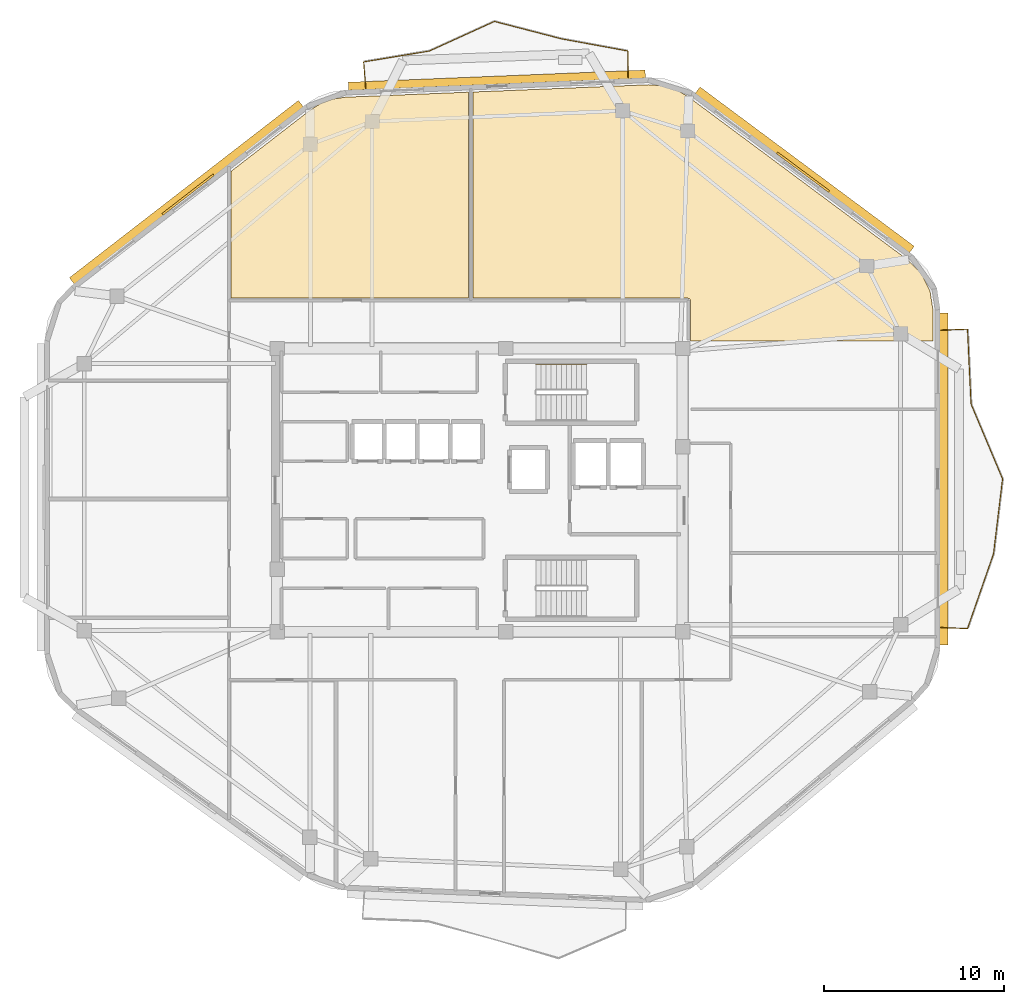
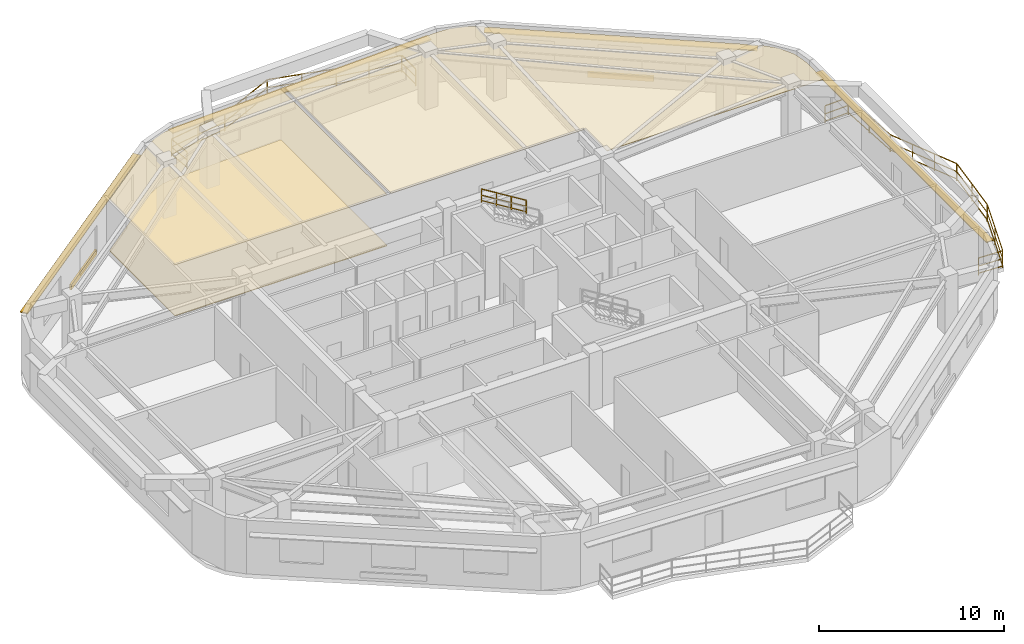
# One storey, part 8 of 8: 13 railings, 6 shading devices, 3 coverings.
"""IFC4 building model written with IfcOpenShell, lengths in metres."""

from ifc_helpers import new_model, si_unit, direction, frame, origin, origin_2d, place, context, subcontext, project, spatial, polyline, rectangle, outline, extrude, material, layer, layer_set, type_object, element, save


model = new_model("IFC4")

# Units and contexts
model_context = context("Model", 3, precision=1e-05, world=origin(), true_north=direction((0.0, 1.0)))
body_context = subcontext(model_context, "Body", "Model", "MODEL_VIEW")
ifc_project = project(units=[si_unit("LENGTHUNIT", "METRE"), si_unit("AREAUNIT", "SQUARE_METRE"), si_unit("VOLUMEUNIT", "CUBIC_METRE"), si_unit("PLANEANGLEUNIT", "RADIAN"), si_unit("MASSUNIT", "GRAM", prefix="KILO")], contexts=[model_context])

# Site, building, storey
site_placement = place(None, origin())
site = spatial("IfcSite", under=ifc_project, at=site_placement, CompositionType="ELEMENT")
building_placement = place(site_placement, origin())
building = spatial("IfcBuilding", under=site, at=building_placement, Name="Zulverin Broadcast Headquarters", CompositionType="ELEMENT")
storey_placement = place(building_placement, frame((0.0, 0.0, 274.39990234375)))
storey = spatial("IfcBuildingStorey", under=building, at=storey_placement, Name="L70", CompositionType="ELEMENT", Elevation=274.39990234375)

# Coverings
ifc_material_1 = material(Name="Perforated pale-metal acoustic baffle ceiling", Category="aluminium")
ifc_layer_1 = layer(ifc_material_1, 0.0400390625, Name="Perforated pale-metal acoustic baffle ceiling", Category="aluminium")
ifc_layer_set_1 = layer_set([ifc_layer_1], Name="Perforated pale-metal acoustic baffle ceiling")
covering_type_1 = type_object("IfcCoveringType", Name="COV-CEIL-ACOU", PredefinedType="CEILING", material=ifc_layer_set_1)
covering_1_placement = place(storey_placement, frame((0.0, 0.0, 3.360107421875)))
element("IfcCovering", 1, at=covering_1_placement, inside=storey, type_object=covering_type_1, Name="L70 Acoustic Baffle Ceiling 01", PredefinedType="CEILING", context=body_context, shape_type="SweptSolid", body=[
    extrude(outline(polyline([(36.3798828125, 35.8720703125), (36.3798828125, 47.33203125), (29.535888671875, 47.052001953125), (28.823974609375, 46.947998046875), (28.16796875, 46.7080078125), (27.555908203125, 46.327880859375), (23.16796875, 42.931884765625), (23.16796875, 35.8720703125), (36.3798828125, 35.8720703125)])), origin(), (0.0, 0.0, 1.0), 0.0400390625),
])
covering_2_placement = place(storey_placement, frame((0.0, 0.0, 3.360107421875)))
element("IfcCovering", 2, at=covering_2_placement, inside=storey, type_object=covering_type_1, Name="L70 Acoustic Baffle Ceiling 02", PredefinedType="CEILING", context=body_context, shape_type="SweptSolid", body=[
    extrude(outline(polyline([(48.60791015625, 47.06396484375), (47.927978515625, 47.4599609375), (47.19189453125, 47.68408203125), (46.404052734375, 47.743896484375), (36.6201171875, 47.340087890625), (36.6201171875, 35.8720703125), (48.56005859375, 35.8720703125), (48.572021484375, 35.8720703125), (48.583984375, 35.867919921875), (48.592041015625, 35.867919921875), (48.60009765625, 35.864013671875), (48.60791015625, 35.864013671875), (48.6201171875, 35.860107421875), (48.6279296875, 35.85595703125), (48.635986328125, 35.85205078125), (48.64794921875, 35.843994140625), (48.659912109375, 35.8359375), (48.66796875, 35.827880859375), (48.676025390625, 35.820068359375), (48.68408203125, 35.81201171875), (48.69189453125, 35.800048828125), (48.699951171875, 35.7880859375), (48.7041015625, 35.780029296875), (48.7080078125, 35.77197265625), (48.7119140625, 35.763916015625), (48.716064453125, 35.751953125), (48.716064453125, 35.743896484375), (48.719970703125, 35.73193359375), (48.719970703125, 35.719970703125), (48.719970703125, 33.5), (62.199951171875, 33.5), (62.199951171875, 35.219970703125), (62.031982421875, 36.2880859375), (61.56005859375, 37.22412109375), (60.803955078125, 37.99609375), (48.60791015625, 47.06396484375)])), origin(), (0.0, 0.0, 1.0), 0.0400390625),
])
ifc_material_2 = material(Name="Anti-static broadcast raised access flooring", Category="stone")
ifc_layer_2 = layer(ifc_material_2, 0.050048828125, Name="Anti-static broadcast raised access flooring", Category="stone")
ifc_layer_set_2 = layer_set([ifc_layer_2], Name="Anti-static broadcast raised access flooring")
covering_type_2 = type_object("IfcCoveringType", Name="COV-FLR-RAISED", PredefinedType="FLOORING", material=ifc_layer_set_2)
covering_3_placement = place(storey_placement, origin())
element("IfcCovering", 3, at=covering_3_placement, inside=storey, type_object=covering_type_2, Name="L70 Broadcast Raised Access Flooring 01", PredefinedType="FLOORING", context=body_context, shape_type="SweptSolid", body=[
    extrude(outline(polyline([(36.3798828125, 35.8720703125), (36.3798828125, 47.33203125), (29.535888671875, 47.052001953125), (28.823974609375, 46.947998046875), (28.16796875, 46.7080078125), (27.555908203125, 46.327880859375), (23.16796875, 42.931884765625), (23.16796875, 35.8720703125), (36.3798828125, 35.8720703125)])), origin(), (0.0, 0.0, 1.0), 0.050048828125),
])

# Railings
ifc_material_3 = material(Name="Brushed stainless steel & laminated glass balustrade", Category="steel")
railing_type_1 = type_object("IfcRailingType", Name="RL-GUARD-1150", PredefinedType="GUARDRAIL", material=ifc_material_3)
railing_1_placement = place(storey_placement, frame((62.639892578125, 17.555419921875, 0.0)))
element("IfcRailing", 4, at=railing_1_placement, inside=storey, type_object=railing_type_1, Name="L70 Vertical-Forest Balcony Guardrail BAL_E Segment 01", PredefinedType="GUARDRAIL", context=body_context, shape_type="SweptSolid", body=[
    extrude(rectangle(XDim=0.048095703125, YDim=0.048095703125, at=origin_2d()), frame((0.0, 0.0, 1.1259765625), z_axis=(0.999181155166, -0.040460093435, 0.0), x_axis=(0.040460093435, 0.999181155166, 0.0)), (0.0, 0.0, 1.0), 1.46630859375),
    extrude(rectangle(XDim=0.0419921875, YDim=0.0419921875, at=origin_2d()), frame((0.0, 0.0, 0.597900390625), z_axis=(0.999181155166, -0.040460093435, 0.0), x_axis=(0.040460093435, 0.999181155166, 0.0)), (0.0, 0.0, 1.0), 1.46630859375),
    extrude(rectangle(XDim=0.0419921875, YDim=0.0419921875, at=origin_2d()), frame((0.0, 0.0, 0.1201171875), z_axis=(0.999181155166, -0.040460093435, 0.0), x_axis=(0.040460093435, 0.999181155166, 0.0)), (0.0, 0.0, 1.0), 1.46630859375),
    extrude(rectangle(XDim=0.0419921875, YDim=0.0419921875, at=origin_2d()), origin(), (0.0, 0.0, 1.0), 1.101806640625),
    extrude(rectangle(XDim=0.0419921875, YDim=0.0419921875, at=origin_2d()), frame((1.465087890625, -0.059326171875, 0.0)), (0.0, 0.0, 1.0), 1.101806640625),
])
railing_2_placement = place(storey_placement, frame((64.125, 17.509765625, 0.0)))
element("IfcRailing", 5, at=railing_2_placement, inside=storey, type_object=railing_type_1, Name="L70 Vertical-Forest Balcony Guardrail BAL_E Segment 02", PredefinedType="GUARDRAIL", context=body_context, shape_type="SweptSolid", body=[
    extrude(rectangle(XDim=0.048095703125, YDim=0.048095703125, at=origin_2d()), frame((0.0, 0.0, 1.1259765625), z_axis=(0.328447087577, 0.944522371711, 0.0), x_axis=(-0.944522371711, 0.328447087577, 0.0)), (0.0, 0.0, 1.0), 4.378173828125),
    extrude(rectangle(XDim=0.0419921875, YDim=0.0419921875, at=origin_2d()), frame((0.0, 0.0, 0.597900390625), z_axis=(0.328447087577, 0.944522371711, 0.0), x_axis=(-0.944522371711, 0.328447087577, 0.0)), (0.0, 0.0, 1.0), 4.378173828125),
    extrude(rectangle(XDim=0.0419921875, YDim=0.0419921875, at=origin_2d()), frame((0.0, 0.0, 0.1201171875), z_axis=(0.328447087577, 0.944522371711, 0.0), x_axis=(-0.944522371711, 0.328447087577, 0.0)), (0.0, 0.0, 1.0), 4.378173828125),
    extrude(rectangle(XDim=0.0419921875, YDim=0.0419921875, at=origin_2d()), origin(), (0.0, 0.0, 1.0), 1.101806640625),
    extrude(rectangle(XDim=0.0419921875, YDim=0.0419921875, at=origin_2d()), frame((0.718994140625, 2.067626953125, 0.0)), (0.0, 0.0, 1.0), 1.101806640625),
    extrude(rectangle(XDim=0.0419921875, YDim=0.0419921875, at=origin_2d()), frame((1.43798828125, 4.13525390625, 0.0)), (0.0, 0.0, 1.0), 1.101806640625),
])
railing_3_placement = place(storey_placement, frame((65.569580078125, 21.674072265625, 0.0)))
element("IfcRailing", 6, at=railing_3_placement, inside=storey, type_object=railing_type_1, Name="L70 Vertical-Forest Balcony Guardrail BAL_E Segment 03", PredefinedType="GUARDRAIL", context=body_context, shape_type="SweptSolid", body=[
    extrude(rectangle(XDim=0.048095703125, YDim=0.048095703125, at=origin_2d()), frame((0.0, 0.0, 1.1259765625), z_axis=(0.119732473656, 0.992806191939, 0.0), x_axis=(-0.992806191939, 0.119732473656, 0.0)), (0.0, 0.0, 1.0), 4.163818359375),
    extrude(rectangle(XDim=0.0419921875, YDim=0.0419921875, at=origin_2d()), frame((0.0, 0.0, 0.597900390625), z_axis=(0.119732473656, 0.992806191939, 0.0), x_axis=(-0.992806191939, 0.119732473656, 0.0)), (0.0, 0.0, 1.0), 4.163818359375),
    extrude(rectangle(XDim=0.0419921875, YDim=0.0419921875, at=origin_2d()), frame((0.0, 0.0, 0.1201171875), z_axis=(0.119732473656, 0.992806191939, 0.0), x_axis=(-0.992806191939, 0.119732473656, 0.0)), (0.0, 0.0, 1.0), 4.163818359375),
    extrude(rectangle(XDim=0.0419921875, YDim=0.0419921875, at=origin_2d()), origin(), (0.0, 0.0, 1.0), 1.101806640625),
    extrude(rectangle(XDim=0.0419921875, YDim=0.0419921875, at=origin_2d()), frame((0.249267578125, 2.06689453125, 0.0)), (0.0, 0.0, 1.0), 1.101806640625),
    extrude(rectangle(XDim=0.0419921875, YDim=0.0419921875, at=origin_2d()), frame((0.49853515625, 4.1337890625, 0.0)), (0.0, 0.0, 1.0), 1.101806640625),
])
railing_4_placement = place(storey_placement, frame((66.064208984375, 25.836669921875, 0.0)))
element("IfcRailing", 7, at=railing_4_placement, inside=storey, type_object=railing_type_1, Name="L70 Vertical-Forest Balcony Guardrail BAL_E Segment 04", PredefinedType="GUARDRAIL", context=body_context, shape_type="SweptSolid", body=[
    extrude(rectangle(XDim=0.048095703125, YDim=0.048095703125, at=origin_2d()), frame((0.0, 0.0, 1.1259765625), z_axis=(-0.388100776881, 0.921616941568, 0.0), x_axis=(-0.921616941568, -0.388100776881, 0.0)), (0.0, 0.0, 1.0), 4.48779296875),
    extrude(rectangle(XDim=0.0419921875, YDim=0.0419921875, at=origin_2d()), frame((0.0, 0.0, 0.597900390625), z_axis=(-0.388100776881, 0.921616941568, 0.0), x_axis=(-0.921616941568, -0.388100776881, 0.0)), (0.0, 0.0, 1.0), 4.48779296875),
    extrude(rectangle(XDim=0.0419921875, YDim=0.0419921875, at=origin_2d()), frame((0.0, 0.0, 0.1201171875), z_axis=(-0.388100776881, 0.921616941568, 0.0), x_axis=(-0.921616941568, -0.388100776881, 0.0)), (0.0, 0.0, 1.0), 4.48779296875),
    extrude(rectangle(XDim=0.0419921875, YDim=0.0419921875, at=origin_2d()), origin(), (0.0, 0.0, 1.0), 1.101806640625),
    extrude(rectangle(XDim=0.0419921875, YDim=0.0419921875, at=origin_2d()), frame((-0.58056640625, 1.378662109375, 0.0)), (0.0, 0.0, 1.0), 1.101806640625),
    extrude(rectangle(XDim=0.0419921875, YDim=0.0419921875, at=origin_2d()), frame((-1.1611328125, 2.75732421875, 0.0)), (0.0, 0.0, 1.0), 1.101806640625),
    extrude(rectangle(XDim=0.0419921875, YDim=0.0419921875, at=origin_2d()), frame((-1.74169921875, 4.135986328125, 0.0)), (0.0, 0.0, 1.0), 1.101806640625),
])
railing_5_placement = place(storey_placement, frame((64.31591796875, 30.00146484375, 0.0)))
element("IfcRailing", 8, at=railing_5_placement, inside=storey, type_object=railing_type_1, Name="L70 Vertical-Forest Balcony Guardrail BAL_E Segment 05", PredefinedType="GUARDRAIL", context=body_context, shape_type="SweptSolid", body=[
    extrude(rectangle(XDim=0.048095703125, YDim=0.048095703125, at=origin_2d()), frame((0.0, 0.0, 1.1259765625), z_axis=(-0.04719794724, 0.998885555895, 0.0), x_axis=(-0.998885555895, -0.04719794724, 0.0)), (0.0, 0.0, 1.0), 4.13818359375),
    extrude(rectangle(XDim=0.0419921875, YDim=0.0419921875, at=origin_2d()), frame((0.0, 0.0, 0.597900390625), z_axis=(-0.04719794724, 0.998885555895, 0.0), x_axis=(-0.998885555895, -0.04719794724, 0.0)), (0.0, 0.0, 1.0), 4.13818359375),
    extrude(rectangle(XDim=0.0419921875, YDim=0.0419921875, at=origin_2d()), frame((0.0, 0.0, 0.1201171875), z_axis=(-0.04719794724, 0.998885555895, 0.0), x_axis=(-0.998885555895, -0.04719794724, 0.0)), (0.0, 0.0, 1.0), 4.13818359375),
    extrude(rectangle(XDim=0.0419921875, YDim=0.0419921875, at=origin_2d()), origin(), (0.0, 0.0, 1.0), 1.101806640625),
    extrude(rectangle(XDim=0.0419921875, YDim=0.0419921875, at=origin_2d()), frame((-0.09765625, 2.06689453125, 0.0)), (0.0, 0.0, 1.0), 1.101806640625),
    extrude(rectangle(XDim=0.0419921875, YDim=0.0419921875, at=origin_2d()), frame((-0.1953125, 4.133544921875, 0.0)), (0.0, 0.0, 1.0), 1.101806640625),
])
railing_6_placement = place(storey_placement, frame((64.10498046875, 34.1494140625, 0.0)))
element("IfcRailing", 9, at=railing_6_placement, inside=storey, type_object=railing_type_1, Name="L70 Vertical-Forest Balcony Guardrail BAL_E Segment 06", PredefinedType="GUARDRAIL", context=body_context, shape_type="SweptSolid", body=[
    extrude(rectangle(XDim=0.048095703125, YDim=0.048095703125, at=origin_2d()), frame((0.0, 0.0, 1.1259765625), z_axis=(-0.999181155166, -0.040460093435, 0.0), x_axis=(0.040460093435, -0.999181155166, 0.0)), (0.0, 0.0, 1.0), 1.46630859375),
    extrude(rectangle(XDim=0.0419921875, YDim=0.0419921875, at=origin_2d()), frame((0.0, 0.0, 0.597900390625), z_axis=(-0.999181155166, -0.040460093435, 0.0), x_axis=(0.040460093435, -0.999181155166, 0.0)), (0.0, 0.0, 1.0), 1.46630859375),
    extrude(rectangle(XDim=0.0419921875, YDim=0.0419921875, at=origin_2d()), frame((0.0, 0.0, 0.1201171875), z_axis=(-0.999181155166, -0.040460093435, 0.0), x_axis=(0.040460093435, -0.999181155166, 0.0)), (0.0, 0.0, 1.0), 1.46630859375),
    extrude(rectangle(XDim=0.0419921875, YDim=0.0419921875, at=origin_2d()), origin(), (0.0, 0.0, 1.0), 1.101806640625),
    extrude(rectangle(XDim=0.0419921875, YDim=0.0419921875, at=origin_2d()), frame((-1.465087890625, -0.059326171875, 0.0)), (0.0, 0.0, 1.0), 1.101806640625),
])
railing_7_placement = place(storey_placement, frame((45.247314453125, 48.13720703125, 0.0)))
element("IfcRailing", 10, at=railing_7_placement, inside=storey, type_object=railing_type_1, Name="L70 Vertical-Forest Balcony Guardrail BAL_N Segment 01", PredefinedType="GUARDRAIL", context=body_context, shape_type="SweptSolid", body=[
    extrude(rectangle(XDim=0.048095703125, YDim=0.048095703125, at=origin_2d()), frame((0.0, 0.0, 1.1259765625), z_axis=(-0.000499500437, 0.99999987525, 0.0), x_axis=(-0.99999987525, -0.000499500437, 0.0)), (0.0, 0.0, 1.0), 1.46630859375),
    extrude(rectangle(XDim=0.0419921875, YDim=0.0419921875, at=origin_2d()), frame((0.0, 0.0, 0.597900390625), z_axis=(-0.000499500437, 0.99999987525, 0.0), x_axis=(-0.99999987525, -0.000499500437, 0.0)), (0.0, 0.0, 1.0), 1.46630859375),
    extrude(rectangle(XDim=0.0419921875, YDim=0.0419921875, at=origin_2d()), frame((0.0, 0.0, 0.1201171875), z_axis=(-0.000499500437, 0.99999987525, 0.0), x_axis=(-0.99999987525, -0.000499500437, 0.0)), (0.0, 0.0, 1.0), 1.46630859375),
    extrude(rectangle(XDim=0.0419921875, YDim=0.0419921875, at=origin_2d()), origin(), (0.0, 0.0, 1.0), 1.101806640625),
    extrude(rectangle(XDim=0.0419921875, YDim=0.0419921875, at=origin_2d()), frame((-0.000732421875, 1.46630859375, 0.0)), (0.0, 0.0, 1.0), 1.101806640625),
])
railing_8_placement = place(storey_placement, frame((45.231689453125, 49.62109375, 0.0)))
element("IfcRailing", 11, at=railing_8_placement, inside=storey, type_object=railing_type_1, Name="L70 Vertical-Forest Balcony Guardrail BAL_N Segment 02", PredefinedType="GUARDRAIL", context=body_context, shape_type="SweptSolid", body=[
    extrude(rectangle(XDim=0.048095703125, YDim=0.048095703125, at=origin_2d()), frame((0.0, 0.0, 1.1259765625), z_axis=(-0.983606942965, 0.180325765634, 0.0), x_axis=(-0.180325765634, -0.983606942965, 0.0)), (0.0, 0.0, 1.0), 3.743408203125),
    extrude(rectangle(XDim=0.0419921875, YDim=0.0419921875, at=origin_2d()), frame((0.0, 0.0, 0.597900390625), z_axis=(-0.983606942965, 0.180325765634, 0.0), x_axis=(-0.180325765634, -0.983606942965, 0.0)), (0.0, 0.0, 1.0), 3.743408203125),
    extrude(rectangle(XDim=0.0419921875, YDim=0.0419921875, at=origin_2d()), frame((0.0, 0.0, 0.1201171875), z_axis=(-0.983606942965, 0.180325765634, 0.0), x_axis=(-0.180325765634, -0.983606942965, 0.0)), (0.0, 0.0, 1.0), 3.743408203125),
    extrude(rectangle(XDim=0.0419921875, YDim=0.0419921875, at=origin_2d()), origin(), (0.0, 0.0, 1.0), 1.101806640625),
    extrude(rectangle(XDim=0.0419921875, YDim=0.0419921875, at=origin_2d()), frame((-1.841064453125, 0.33740234375, 0.0)), (0.0, 0.0, 1.0), 1.101806640625),
    extrude(rectangle(XDim=0.0419921875, YDim=0.0419921875, at=origin_2d()), frame((-3.68212890625, 0.675048828125, 0.0)), (0.0, 0.0, 1.0), 1.101806640625),
])
railing_9_placement = place(storey_placement, frame((41.520263671875, 50.302734375, 0.0)))
element("IfcRailing", 12, at=railing_9_placement, inside=storey, type_object=railing_type_1, Name="L70 Vertical-Forest Balcony Guardrail BAL_N Segment 03", PredefinedType="GUARDRAIL", context=body_context, shape_type="SweptSolid", body=[
    extrude(rectangle(XDim=0.048095703125, YDim=0.048095703125, at=origin_2d()), frame((0.0, 0.0, 1.1259765625), z_axis=(-0.968002653238, 0.250939959602, 0.0), x_axis=(-0.250939959602, -0.968002653238, 0.0)), (0.0, 0.0, 1.0), 3.816650390625),
    extrude(rectangle(XDim=0.0419921875, YDim=0.0419921875, at=origin_2d()), frame((0.0, 0.0, 0.597900390625), z_axis=(-0.968002653238, 0.250939959602, 0.0), x_axis=(-0.250939959602, -0.968002653238, 0.0)), (0.0, 0.0, 1.0), 3.816650390625),
    extrude(rectangle(XDim=0.0419921875, YDim=0.0419921875, at=origin_2d()), frame((0.0, 0.0, 0.1201171875), z_axis=(-0.968002653238, 0.250939959602, 0.0), x_axis=(-0.250939959602, -0.968002653238, 0.0)), (0.0, 0.0, 1.0), 3.816650390625),
    extrude(rectangle(XDim=0.0419921875, YDim=0.0419921875, at=origin_2d()), origin(), (0.0, 0.0, 1.0), 1.101806640625),
    extrude(rectangle(XDim=0.0419921875, YDim=0.0419921875, at=origin_2d()), frame((-1.84716796875, 0.47900390625, 0.0)), (0.0, 0.0, 1.0), 1.101806640625),
    extrude(rectangle(XDim=0.0419921875, YDim=0.0419921875, at=origin_2d()), frame((-3.694580078125, 0.957763671875, 0.0)), (0.0, 0.0, 1.0), 1.101806640625),
])
railing_10_placement = place(storey_placement, frame((37.79736328125, 51.25830078125, 0.0)))
element("IfcRailing", 13, at=railing_10_placement, inside=storey, type_object=railing_type_1, Name="L70 Vertical-Forest Balcony Guardrail BAL_N Segment 04", PredefinedType="GUARDRAIL", context=body_context, shape_type="SweptSolid", body=[
    extrude(rectangle(XDim=0.048095703125, YDim=0.048095703125, at=origin_2d()), frame((0.0, 0.0, 1.1259765625), z_axis=(-0.910292238075, -0.413966232077, 0.0), x_axis=(0.413966232077, -0.910292238075, 0.0)), (0.0, 0.0, 1.0), 3.942626953125),
    extrude(rectangle(XDim=0.0419921875, YDim=0.0419921875, at=origin_2d()), frame((0.0, 0.0, 0.597900390625), z_axis=(-0.910292238075, -0.413966232077, 0.0), x_axis=(0.413966232077, -0.910292238075, 0.0)), (0.0, 0.0, 1.0), 3.942626953125),
    extrude(rectangle(XDim=0.0419921875, YDim=0.0419921875, at=origin_2d()), frame((0.0, 0.0, 0.1201171875), z_axis=(-0.910292238075, -0.413966232077, 0.0), x_axis=(0.413966232077, -0.910292238075, 0.0)), (0.0, 0.0, 1.0), 3.942626953125),
    extrude(rectangle(XDim=0.0419921875, YDim=0.0419921875, at=origin_2d()), origin(), (0.0, 0.0, 1.0), 1.101806640625),
    extrude(rectangle(XDim=0.0419921875, YDim=0.0419921875, at=origin_2d()), frame((-1.79443359375, -0.81591796875, 0.0)), (0.0, 0.0, 1.0), 1.101806640625),
    extrude(rectangle(XDim=0.0419921875, YDim=0.0419921875, at=origin_2d()), frame((-3.5888671875, -1.632080078125, 0.0)), (0.0, 0.0, 1.0), 1.101806640625),
])
railing_11_placement = place(storey_placement, frame((34.179931640625, 49.617431640625, 0.0)))
element("IfcRailing", 14, at=railing_11_placement, inside=storey, type_object=railing_type_1, Name="L70 Vertical-Forest Balcony Guardrail BAL_N Segment 05", PredefinedType="GUARDRAIL", context=body_context, shape_type="SweptSolid", body=[
    extrude(rectangle(XDim=0.048095703125, YDim=0.048095703125, at=origin_2d()), frame((0.0, 0.0, 1.1259765625), z_axis=(-0.986551305382, -0.163451894602, 0.0), x_axis=(0.163451894602, -0.986551305382, 0.0)), (0.0, 0.0, 1.0), 3.678955078125),
    extrude(rectangle(XDim=0.0419921875, YDim=0.0419921875, at=origin_2d()), frame((0.0, 0.0, 0.597900390625), z_axis=(-0.986551305382, -0.163451894602, 0.0), x_axis=(0.163451894602, -0.986551305382, 0.0)), (0.0, 0.0, 1.0), 3.678955078125),
    extrude(rectangle(XDim=0.0419921875, YDim=0.0419921875, at=origin_2d()), frame((0.0, 0.0, 0.1201171875), z_axis=(-0.986551305382, -0.163451894602, 0.0), x_axis=(0.163451894602, -0.986551305382, 0.0)), (0.0, 0.0, 1.0), 3.678955078125),
    extrude(rectangle(XDim=0.0419921875, YDim=0.0419921875, at=origin_2d()), origin(), (0.0, 0.0, 1.0), 1.101806640625),
    extrude(rectangle(XDim=0.0419921875, YDim=0.0419921875, at=origin_2d()), frame((-1.814697265625, -0.30078125, 0.0)), (0.0, 0.0, 1.0), 1.101806640625),
    extrude(rectangle(XDim=0.0419921875, YDim=0.0419921875, at=origin_2d()), frame((-3.62939453125, -0.601318359375, 0.0)), (0.0, 0.0, 1.0), 1.101806640625),
])
railing_12_placement = place(storey_placement, frame((30.537109375, 48.998779296875, 0.0)))
element("IfcRailing", 15, at=railing_12_placement, inside=storey, type_object=railing_type_1, Name="L70 Vertical-Forest Balcony Guardrail BAL_N Segment 06", PredefinedType="GUARDRAIL", context=body_context, shape_type="SweptSolid", body=[
    extrude(rectangle(XDim=0.048095703125, YDim=0.048095703125, at=origin_2d()), frame((0.0, 0.0, 1.1259765625), z_axis=(0.081419392862, -0.9966799298, 0.0), x_axis=(0.9966799298, 0.081419392862, 0.0)), (0.0, 0.0, 1.0), 1.46630859375),
    extrude(rectangle(XDim=0.0419921875, YDim=0.0419921875, at=origin_2d()), frame((0.0, 0.0, 0.597900390625), z_axis=(0.081419392862, -0.9966799298, 0.0), x_axis=(0.9966799298, 0.081419392862, 0.0)), (0.0, 0.0, 1.0), 1.46630859375),
    extrude(rectangle(XDim=0.0419921875, YDim=0.0419921875, at=origin_2d()), frame((0.0, 0.0, 0.1201171875), z_axis=(0.081419392862, -0.9966799298, 0.0), x_axis=(0.9966799298, 0.081419392862, 0.0)), (0.0, 0.0, 1.0), 1.46630859375),
    extrude(rectangle(XDim=0.0419921875, YDim=0.0419921875, at=origin_2d()), origin(), (0.0, 0.0, 1.0), 1.101806640625),
    extrude(rectangle(XDim=0.0419921875, YDim=0.0419921875, at=origin_2d()), frame((0.119384765625, -1.46142578125, 0.0)), (0.0, 0.0, 1.0), 1.101806640625),
])
ifc_material_4 = material(Name="Brushed stainless steel 48 mm handrail", Category="steel")
railing_type_2 = type_object("IfcRailingType", Name="RL-ST-HAND", PredefinedType="HANDRAIL", material=ifc_material_4)
railing_13_placement = place(storey_placement, frame((42.929931640625, 32.199951171875, 2.07275390625)))
element("IfcRailing", 16, at=railing_13_placement, inside=storey, type_object=railing_type_2, Name="L70 ST-1 stair handrail 2", PredefinedType="HANDRAIL", context=body_context, shape_type="SweptSolid", body=[
    extrude(rectangle(XDim=0.048095703125, YDim=0.048095703125, at=origin_2d()), frame((0.0, 0.0, 0.8759765625), z_axis=(-0.851089632645, 0.0, 0.525020415988), x_axis=(0.0, -1.0, 0.0)), (0.0, 0.0, 1.0), 3.2900390625),
    extrude(rectangle(XDim=0.0419921875, YDim=0.0419921875, at=origin_2d()), frame((0.0, 0.0, 0.468017578125), z_axis=(-0.851089632645, 0.0, 0.525020415988), x_axis=(0.0, -1.0, 0.0)), (0.0, 0.0, 1.0), 3.2900390625),
    extrude(rectangle(XDim=0.0419921875, YDim=0.0419921875, at=origin_2d()), frame((0.0, 0.0, 0.1201171875), z_axis=(-0.851089632645, 0.0, 0.525020415988), x_axis=(0.0, -1.0, 0.0)), (0.0, 0.0, 1.0), 3.2900390625),
    extrude(rectangle(XDim=0.0419921875, YDim=0.0419921875, at=origin_2d()), origin(), (0.0, 0.0, 1.0), 0.851806640625),
    extrude(rectangle(XDim=0.0419921875, YDim=0.0419921875, at=origin_2d()), frame((-0.933349609375, 0.0, 0.57568359375)), (0.0, 0.0, 1.0), 0.851806640625),
    extrude(rectangle(XDim=0.0419921875, YDim=0.0419921875, at=origin_2d()), frame((-1.86669921875, 0.0, 1.151611328125)), (0.0, 0.0, 1.0), 0.851806640625),
    extrude(rectangle(XDim=0.0419921875, YDim=0.0419921875, at=origin_2d()), frame((-2.800048828125, 0.0, 1.727294921875)), (0.0, 0.0, 1.0), 0.851806640625),
])

# Shading devices
ifc_material_5 = material(Name="Anodized pale-metal aluminium acoustic louvre", Category="aluminium")
shading_device_type_1 = type_object("IfcShadingDeviceType", Name="SHD-LOUVRE-350", PredefinedType="USERDEFINED", material=ifc_material_5)
for number, where, z_axis, x_axis, name in (
    (17, (54.973388671875, 42.880615234375, 0.2451171875), (0.0, 0.0, 1.0), (-0.802486437986, 0.596670358614, 0.0), "L70 Spandrel Intake Louvre 4"),
    (18, (20.77734375, 41.63720703125, 0.2451171875), (0.0, 0.0, 1.0), (-0.790792140634, -0.612084790132, 0.0), "L70 Spandrel Intake Louvre 6"),
):
    element("IfcShadingDevice", number, at=place(storey_placement, frame(where, z_axis=z_axis, x_axis=x_axis)), inside=storey, type_object=shading_device_type_1, Name=name, ObjectType="LOUVRE", PredefinedType="USERDEFINED", context=body_context, shape_type="SweptSolid", body=[
        extrude(rectangle(XDim=3.60009765625, YDim=0.1201171875, at=origin_2d()), origin(), (0.0, 0.0, 1.0), 0.35009765625),
    ])
ifc_material_6 = material(Name="Anodized pale-metal aluminium sunshade", Category="aluminium")
ifc_layer_3 = layer(ifc_material_6, 0.06005859375, Name="Anodized pale-metal aluminium sunshade", Category="aluminium")
ifc_layer_set_3 = layer_set([ifc_layer_3], Name="Anodized pale-metal aluminium sunshade")
shading_device_type_2 = type_object("IfcShadingDeviceType", Name="SS-01_PALE_METAL_ALUMINIUM_SUNSHADE", PredefinedType="USERDEFINED", material=ifc_layer_set_3)
shading_device_1_placement = place(storey_placement, frame((62.800048828125, 25.82275390625, 2.7099609375), z_axis=(0.0, 0.0, 1.0), x_axis=(0.0, 1.0, 0.0)))
element("IfcShadingDevice", 19, at=shading_device_1_placement, inside=storey, type_object=shading_device_type_2, Name="L70 Horizontal Pale-Metal Sunshade Band 3", ObjectType="SUNSHADE", PredefinedType="USERDEFINED", context=body_context, shape_type="SweptSolid", body=[
    extrude(rectangle(XDim=18.45458984375, YDim=0.449951171875, at=origin_2d()), origin(), (0.0, 0.0, 1.0), 0.06005859375),
])
shading_device_2_placement = place(storey_placement, frame((55.068603515625, 43.009033203125, 2.7099609375), z_axis=(0.0, 0.0, 1.0), x_axis=(-0.802486437986, 0.596670358614, 0.0)))
element("IfcShadingDevice", 20, at=shading_device_2_placement, inside=storey, type_object=shading_device_type_2, Name="L70 Horizontal Pale-Metal Sunshade Band 4", ObjectType="SUNSHADE", PredefinedType="USERDEFINED", context=body_context, shape_type="SweptSolid", body=[
    extrude(rectangle(XDim=14.84765625, YDim=0.449951171875, at=origin_2d()), origin(), (0.0, 0.0, 1.0), 0.06005859375),
])
shading_device_3_placement = place(storey_placement, frame((37.9453125, 47.9970703125, 2.7099609375), z_axis=(0.0, 0.0, 1.0), x_axis=(-0.999156343069, -0.041068261531, 0.0)))
element("IfcShadingDevice", 21, at=shading_device_3_placement, inside=storey, type_object=shading_device_type_2, Name="L70 Horizontal Pale-Metal Sunshade Band 5", ObjectType="SUNSHADE", PredefinedType="USERDEFINED", context=body_context, shape_type="SweptSolid", body=[
    extrude(rectangle(XDim=16.523193359375, YDim=0.449951171875, at=origin_2d()), origin(), (0.0, 0.0, 1.0), 0.06005859375),
])
shading_device_4_placement = place(storey_placement, frame((20.67919921875, 41.763671875, 2.7099609375), z_axis=(0.0, 0.0, 1.0), x_axis=(-0.790792140634, -0.612084790132, 0.0)))
element("IfcShadingDevice", 22, at=shading_device_4_placement, inside=storey, type_object=shading_device_type_2, Name="L70 Horizontal Pale-Metal Sunshade Band 6", ObjectType="SUNSHADE", PredefinedType="USERDEFINED", context=body_context, shape_type="SweptSolid", body=[
    extrude(rectangle(XDim=16.109130859375, YDim=0.449951171875, at=origin_2d()), origin(), (0.0, 0.0, 1.0), 0.06005859375),
])

save(model, "model.ifc")
